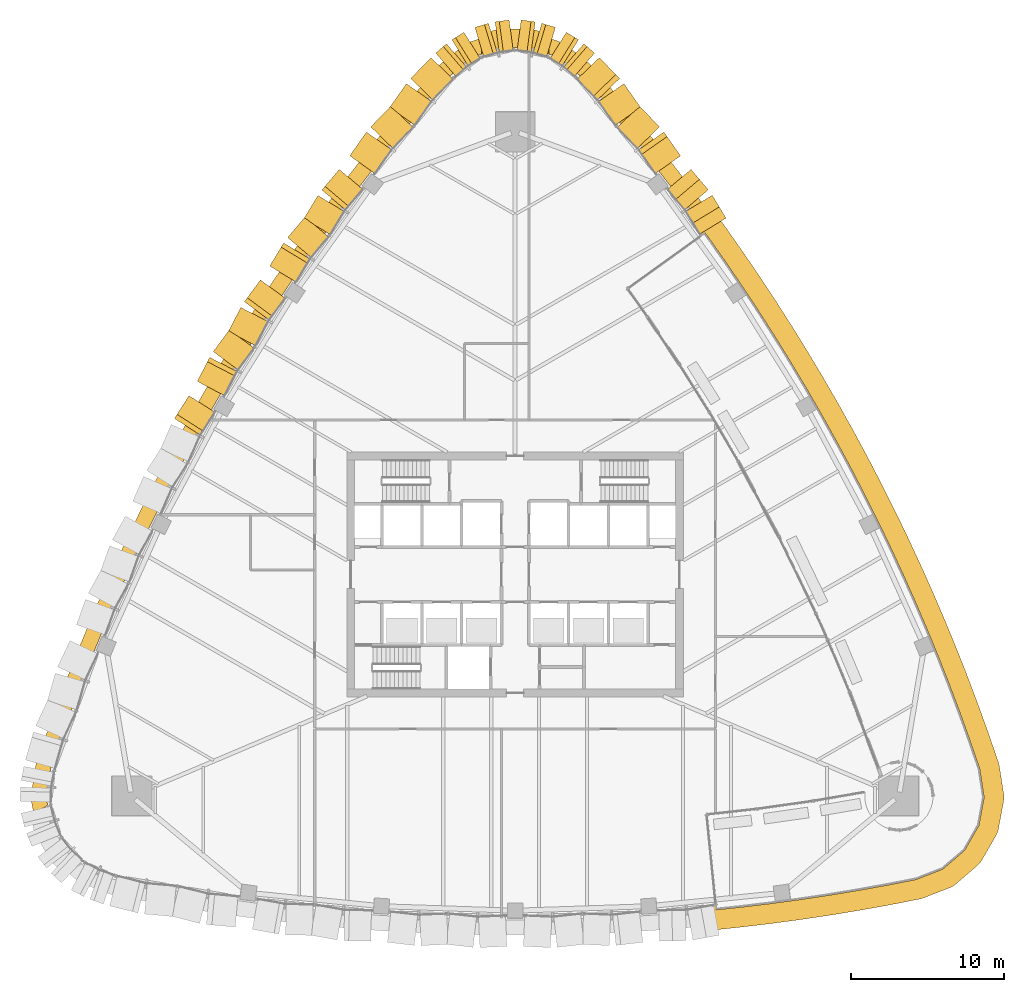
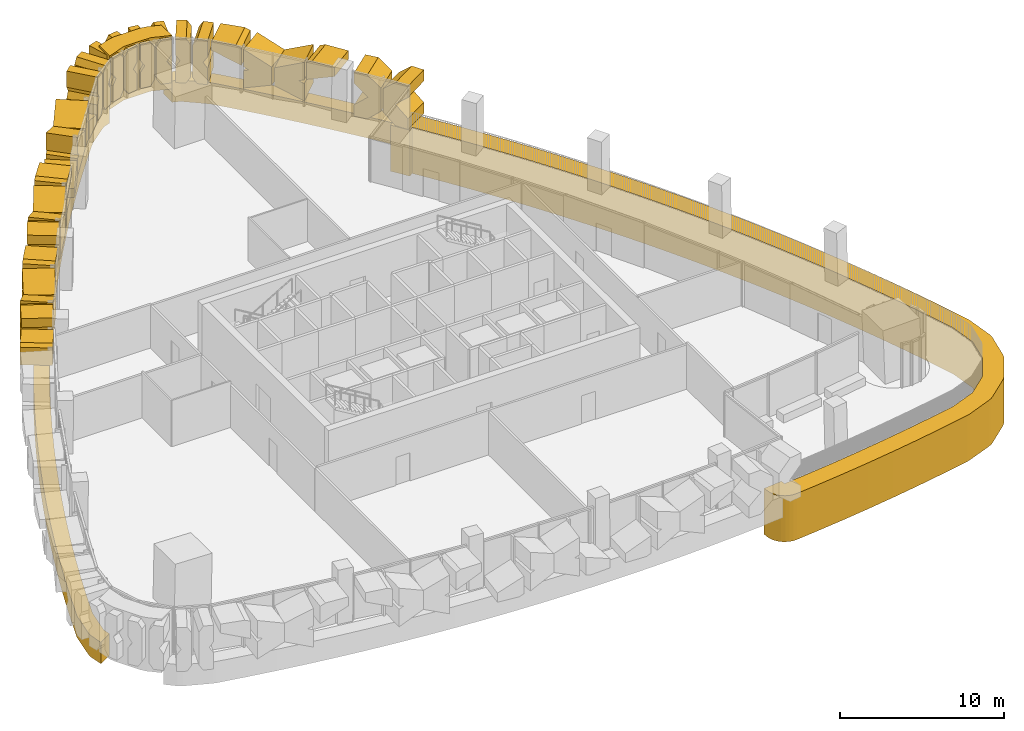
# One storey, part 19 of 20: 31 coverings.
"""IFC4 building model written with IfcOpenShell, lengths in metres."""

from ifc_helpers import new_model, si_unit, direction, frame, origin, place, context, subcontext, project, spatial, polyline, outline, extrude, material, layer, layer_set, type_object, element, save


model = new_model("IFC4")

# Units and contexts
model_context = context("Model", 3, precision=1e-05, world=origin(), true_north=direction((0.0, 1.0)))
body_context = subcontext(model_context, "Body", "Model", "MODEL_VIEW")
ifc_project = project(units=[si_unit("LENGTHUNIT", "METRE"), si_unit("AREAUNIT", "SQUARE_METRE"), si_unit("VOLUMEUNIT", "CUBIC_METRE"), si_unit("PLANEANGLEUNIT", "RADIAN"), si_unit("MASSUNIT", "GRAM", prefix="KILO")], contexts=[model_context])

# Site, building, storey
site_placement = place(None, origin())
site = spatial("IfcSite", under=ifc_project, at=site_placement, CompositionType="ELEMENT")
building_placement = place(site_placement, origin())
building = spatial("IfcBuilding", under=site, at=building_placement, Name="Sierra Prisma Convention Tower", CompositionType="ELEMENT")
storey_placement = place(building_placement, frame((0.0, 0.0, 125.800048828125)))
storey = spatial("IfcBuildingStorey", under=building, at=storey_placement, Name="L26", CompositionType="ELEMENT", Elevation=125.800048828125)

# Coverings
ifc_material_1 = material(Name="Aluminium composite bronze anodised", Category="aluminium")
ifc_layer_1 = layer(ifc_material_1, 1.199951171875)
ifc_layer_set_1 = layer_set([ifc_layer_1], Name="Bronze corner pier")
covering_type_1 = type_object("IfcCoveringType", Name="Bronze corner pier", PredefinedType="CLADDING", material=ifc_layer_set_1)
covering_1_placement = place(storey_placement, frame((0.0, 0.0, -0.60009765625)))
element("IfcCovering", 1, at=covering_1_placement, inside=storey, type_object=covering_type_1, Name="Corner pier N L26.1", PredefinedType="CLADDING", context=body_context, shape_type="SweptSolid", body=[
    extrude(outline(polyline([(-0.93896484375, 35.669921875), (0.93896484375, 35.669921875), (1.33740234375, 35.601806640625), (2.199951171875, 35.2978515625), (2.199951171875, 34.025634765625), (0.93896484375, 34.469970703125), (-0.93896484375, 34.469970703125), (-2.199951171875, 34.025634765625), (-2.199951171875, 35.2978515625), (-1.33740234375, 35.601806640625), (-0.93896484375, 35.669921875)])), origin(), (0.0, 0.0, 1.0), 4.0),
])
ifc_material_2 = material(Name="Aluminium 6063-T6 bronze anodised", Category="aluminium")
ifc_layer_2 = layer(ifc_material_2, 2.0)
ifc_layer_set_2 = layer_set([ifc_layer_2], Name="Bronze crystal chevron frame")
covering_type_2 = type_object("IfcCoveringType", Name="Bronze crystal chevron frame", PredefinedType="CLADDING", material=ifc_layer_set_2)
covering_2_placement = place(storey_placement, frame((13.791015625, 23.30615234375, 0.0), z_axis=(0.854983340434, 0.518655461343, 0.0), x_axis=(-0.518655461343, 0.854983340434, 0.0)))
element("IfcCovering", 2, at=covering_2_placement, inside=storey, type_object=covering_type_2, Name="CW-2 chevron frame NE5b.1.1", PredefinedType="CLADDING", context=body_context, shape_type="SweptSolid", body=[
    extrude(outline(polyline([(0.0, 0.0), (0.8497567209117803, 0.0), (1.7438969102304944, 0.78466796875), (1.7438969102304944, 2.495361328125), (0.8497567209117803, 3.280029296875), (0.0, 3.280029296875), (0.0, 2.428955078125), (0.8992903138798904, 1.639892578125), (0.0, 0.850830078125), (0.0, 0.0)])), origin(), (0.0, 0.0, -1.0), 2.0),
])
covering_3_placement = place(storey_placement, frame((12.62744140625, 25.156982421875, 0.78466796875), z_axis=(0.763318512234, 0.646022328469, 0.0), x_axis=(-0.485619357065, 0.573791692349, -0.659497485844)))
element("IfcCovering", 3, at=covering_3_placement, inside=storey, type_object=covering_type_2, Name="CW-2 chevron frame NE5b.1.2", PredefinedType="CLADDING", context=body_context, shape_type="SweptSolid", body=[
    extrude(outline(polyline([(0.0, 0.0), (1.1897967552452315, 0.0), (1.8285264528168788, 0.5603789232740328), (1.267406155412686, 1.1999536520456002), (0.07104713109822547, 1.2000424250887396), (0.22663668556456518, 2.3862408964586312), (-0.33464462196800726, 3.025999147390535), (-0.9733743195396543, 2.465620224116502), (-1.128197969558444, 1.2859397774755736), (0.0, 0.0)])), origin(), (0.0, 0.0, -1.0), 2.0),
])
covering_4_placement = place(storey_placement, frame((10.816162109375, 27.377197265625, 2.608154296875), z_axis=(0.81847095685, 0.574547902211, -2.9281178e-05), x_axis=(-0.532470680284, 0.758510796267, -0.375681176777)))
element("IfcCovering", 4, at=covering_4_placement, inside=storey, type_object=covering_type_2, Name="CW-2 chevron frame NE6.1.1", PredefinedType="CLADDING", context=body_context, shape_type="SweptSolid", body=[
    extrude(outline(polyline([(0.0, 0.0), (2.0477126787163704, -1.1102230246251565e-16), (1.5612349048824334, 1.2000675133014), (1.1720405237454368, 1.2000968987787637), (-0.2524107906468692, 0.6226594639150552), (0.0, 0.0)])), origin(), (0.0, 0.0, -1.0), 2.0),
])
covering_5_placement = place(storey_placement, frame((9.443115234375, 29.272216796875, 1.49365234375), z_axis=(0.718399276652, 0.695630993635, 0.0), x_axis=(0.0, 0.0, -1.0)))
element("IfcCovering", 5, at=covering_5_placement, inside=storey, type_object=covering_type_2, Name="CW-2 chevron frame NE6.1.2", PredefinedType="CLADDING", context=body_context, shape_type="SweptSolid", body=[
    extrude(outline(polyline([(0.0, 0.0), (1.294677734375, 0.0), (0.525390625, 1.8976607283716422), (-0.818115234375, 1.8976607283716422), (-1.58740234375, 0.0), (-0.29248046875, 0.0), (-0.146240234375, 0.3605065095193148), (0.0, 0.0)])), origin(), (0.0, 0.0, -1.0), 2.0),
])
covering_6_placement = place(storey_placement, frame((8.202392578125, 30.539794921875, 0.96826171875), z_axis=(0.818366602359, 0.574696532218, 0.0), x_axis=(-0.532597061531, 0.758417048367, -0.375691297203)))
element("IfcCovering", 6, at=covering_6_placement, inside=storey, type_object=covering_type_2, Name="CW-2 chevron frame NE6.2.1", PredefinedType="CLADDING", context=body_context, shape_type="SweptSolid", body=[
    extrude(outline(polyline([(0.0, 0.0), (2.0476575185574464, 1.1102230246251565e-16), (1.5612583610698336, 1.199835945236566), (1.1720639753909456, 1.1998610770240354), (1.4513759943585078, 1.4708907184580267), (0.9648851153627886, 2.670952919765729), (-0.5047434591088693, 1.2450871594638548), (0.0, 0.0)])), origin(), (0.0, 0.0, -1.0), 2.0),
])
covering_7_placement = place(storey_placement, frame((6.829345703125, 32.4345703125, 1.8388671875), z_axis=(0.718403784782, 0.695626335896, 5.3096288e-05), x_axis=(-0.644682690087, 0.665763374492, 0.375690508647)))
element("IfcCovering", 7, at=covering_7_placement, inside=storey, type_object=covering_type_2, Name="CW-2 chevron frame NE6.2.2", PredefinedType="CLADDING", context=body_context, shape_type="SweptSolid", body=[
    extrude(outline(polyline([(0.0, 0.0), (2.047661811818721, 0.0), (2.300078872315689, 0.622656921524551), (0.8756859907926398, 1.2000873739026618), (0.48648985787642396, 1.2000626132871433), (0.0, 0.0)])), origin(), (0.0, 0.0, -1.0), 2.0),
])
covering_8_placement = place(storey_placement, frame((5.193359375, 34.0966796875, 0.0), z_axis=(0.654265309432, 0.756265102245, 0.0), x_axis=(-0.756265102245, 0.654265309432, 0.0)))
element("IfcCovering", 8, at=covering_8_placement, inside=storey, type_object=covering_type_2, Name="CW-2 chevron frame N1.1.1", PredefinedType="CLADDING", context=body_context, shape_type="SweptSolid", body=[
    extrude(outline(polyline([(0.0, 0.0), (0.6527046052090422, 0.0), (0.9261745791873841, 0.4267578125), (0.9261745791873841, 2.853271484375), (0.6527046052090422, 3.280029296875), (0.0, 3.280029296875), (0.0, 2.074462890625), (0.2785006601742739, 1.639892578125), (0.0, 1.20556640625), (0.0, 0.0)])), origin(), (0.0, 0.0, -1.0), 2.0),
])
covering_9_placement = place(storey_placement, frame((4.135986328125, 34.9658203125, 0.4267578125), z_axis=(0.528087197207, 0.849190150759, 0.0), x_axis=(-0.45803747233, 0.284840473906, -0.842061505097)))
element("IfcCovering", 9, at=covering_9_placement, inside=storey, type_object=covering_type_2, Name="CW-2 chevron frame N1.1.2", PredefinedType="CLADDING", context=body_context, shape_type="SweptSolid", body=[
    extrude(outline(polyline([(0.0, 0.0), (0.5068012371030686, 2.7755575615628914e-17), (0.8588373238573257, 0.5495850846466388), (-0.15632373868385574, 1.199845322535132), (-0.6721639867489821, 1.1997655203934459), (-0.8879880200901061, 1.6685120269995197), (-1.9031490826312876, 2.318772264888013), (-2.2551851693855447, 1.7691871802413743), (-2.0432737546773594, 1.3088166270501689), (0.0, 0.0)])), origin(), (0.0, 0.0, -1.0), 2.0),
])
covering_10_placement = place(storey_placement, frame((2.63232421875, 35.778076171875, 0.0), z_axis=(0.286229095221, 0.958161210365, 0.0), x_axis=(-0.958161210365, 0.286229095221, 0.0)))
element("IfcCovering", 10, at=covering_10_placement, inside=storey, type_object=covering_type_2, Name="CW-2 chevron frame N2.1.1", PredefinedType="CLADDING", context=body_context, shape_type="SweptSolid", body=[
    extrude(outline(polyline([(0.0, 0.0), (0.6527769235352358, 0.0), (0.9262111321016565, 0.4267578124999999), (0.9262111321016565, 2.8532714843749996), (0.6527769235352358, 3.280029296874999), (0.0, 3.280029296874999), (0.0, 2.0744628906249996), (0.278532011002611, 1.6398925781249996), (0.0, 1.2055664062499998), (0.0, 0.0)])), origin(), (0.0, 0.0, -1.0), 2.0),
])
covering_11_placement = place(storey_placement, frame((1.311279296875, 36.13623046875, 0.4267578125), z_axis=(0.132831760959, 0.99113859943, 0.0), x_axis=(-0.534695411156, 0.071659536902, -0.842001026163)))
element("IfcCovering", 11, at=covering_11_placement, inside=storey, type_object=covering_type_2, Name="CW-2 chevron frame N2.1.2", PredefinedType="CLADDING", context=body_context, shape_type="SweptSolid", body=[
    extrude(outline(polyline([(0.0, 0.0), (0.5068376394322877, 0.0), (0.8589816763376017, 0.5496179302247808), (-0.15610647483249396, 1.1999919804701895), (-0.6721105239464316, 1.1997143647756237), (-0.8877182063056349, 1.6687407137272592), (-1.9028063574757303, 2.3191147639726677), (-2.2549503943810443, 1.769496833747887), (-2.043127001717209, 1.3090457038050056), (0.0, 0.0)])), origin(), (0.0, 0.0, -1.0), 2.0),
])
covering_12_placement = place(storey_placement, frame((-0.393310546875, 36.25927734375, 0.0), z_axis=(-0.132831760959, 0.99113859943, 0.0), x_axis=(-0.99113859943, -0.132831760959, 0.0)))
element("IfcCovering", 12, at=covering_12_placement, inside=storey, type_object=covering_type_2, Name="CW-2 chevron frame N3.1.1", PredefinedType="CLADDING", context=body_context, shape_type="SweptSolid", body=[
    extrude(outline(polyline([(0.0, 0.0), (0.6527520907301202, 0.0), (0.9261787942824772, 0.4267578125000001), (0.9261787942824772, 2.8532714843750004), (0.6527520907301202, 3.280029296875001), (0.0, 3.280029296875001), (0.0, 2.0744628906250004), (0.278605513579435, 1.6398925781250004), (0.0, 1.2055664062500002), (0.0, 0.0)])), origin(), (0.0, 0.0, -1.0), 2.0),
])
covering_13_placement = place(storey_placement, frame((-1.744873046875, 36.043212890625, 0.4267578125), z_axis=(-0.286229095221, 0.958161210365, 0.0), x_axis=(-0.516914962425, -0.154416710258, -0.841994299989)))
element("IfcCovering", 13, at=covering_13_placement, inside=storey, type_object=covering_type_2, Name="CW-2 chevron frame N3.1.2", PredefinedType="CLADDING", context=body_context, shape_type="SweptSolid", body=[
    extrude(outline(polyline([(0.0, 0.0), (0.5068416882460737, 0.0), (0.8590059746427796, 0.5496344487810292), (-0.15607406767795373, 1.2000211549495043), (-0.6720384665709299, 1.1998118614702262), (-0.8876799548021922, 1.6687790098003756), (-1.9027599971229257, 2.319165715968851), (-2.2549242835196317, 1.7695312671878214), (-2.043110680564149, 1.3090711771179575), (0.0, 0.0)])), origin(), (0.0, 0.0, -1.0), 2.0),
])
covering_14_placement = place(storey_placement, frame((-3.349609375, 35.454833984375, 0.0), z_axis=(-0.528087197207, 0.849190150759, 0.0), x_axis=(-0.849190150759, -0.528087197207, 0.0)))
element("IfcCovering", 14, at=covering_14_placement, inside=storey, type_object=covering_type_2, Name="CW-2 chevron frame N4.1.1", PredefinedType="CLADDING", context=body_context, shape_type="SweptSolid", body=[
    extrude(outline(polyline([(0.0, 0.0), (0.6526662023142488, 0.0), (0.9260254227539765, 0.42675781249999994), (0.9260254227539765, 2.8532714843749996), (0.6526662023142488, 3.2800292968749996), (0.0, 3.2800292968749996), (0.0, 2.0744628906249996), (0.27830189420246687, 1.6398925781249998), (0.0, 1.2055664062499998), (0.0, 0.0)])), origin(), (0.0, 0.0, -1.0), 2.0),
])
covering_15_placement = place(storey_placement, frame((-4.492919921875, 34.70263671875, 0.4267578125), z_axis=(-0.654265309432, 0.756265102245, 0.0), x_axis=(-0.408032585505, -0.352999979797, -0.841962245846)))
element("IfcCovering", 15, at=covering_15_placement, inside=storey, type_object=covering_type_2, Name="CW-2 chevron frame N4.1.2", PredefinedType="CLADDING", context=body_context, shape_type="SweptSolid", body=[
    extrude(outline(polyline([(0.0, 0.0), (0.5068609840947518, -5.551115123125783e-17), (0.8590189070819609, 0.5495526352756636), (-0.15602249184046912, 1.199999649529812), (-0.6719699873430957, 1.199847407401435), (-0.8876005272323138, 1.6688009706579032), (-1.902641926154744, 2.3192479849120518), (-2.2547998491419534, 1.769695349636388), (-2.043032900747273, 1.3091925627120253), (0.0, 0.0)])), origin(), (0.0, 0.0, -1.0), 2.0),
])
covering_16_placement = place(storey_placement, frame((-6.578369140625, 32.693603515625, 0.0), z_axis=(-0.718403785448, 0.695626335207, -5.3108724e-05), x_axis=(-0.644666067314, -0.665746197485, 0.375749467317)))
element("IfcCovering", 16, at=covering_16_placement, inside=storey, type_object=covering_type_2, Name="CW-2 chevron frame NW1.1.1", PredefinedType="CLADDING", context=body_context, shape_type="SweptSolid", body=[
    extrude(outline(polyline([(0.0, 0.0), (0.38919613370424483, -2.7755575615628914e-17), (0.875670602742297, 1.199805410111478), (-1.171991204932352, 1.1999356821392246), (-1.42435614257589, 0.5775210709348733), (0.0, 0.0)])), origin(), (0.0, 0.0, -1.0), 2.0),
])
covering_17_placement = place(storey_placement, frame((-7.11181640625, 32.0927734375, 1.49365234375), z_axis=(-0.818366602359, 0.574696532218, 0.0), x_axis=(0.0, 0.0, -1.0)))
element("IfcCovering", 17, at=covering_17_placement, inside=storey, type_object=covering_type_2, Name="CW-2 chevron frame NW1.1.2", PredefinedType="CLADDING", context=body_context, shape_type="SweptSolid", body=[
    extrude(outline(polyline([(0.0, 0.0), (1.294677734375, 0.0), (0.525390625, 1.8976560954646904), (-0.818115234375, 1.8976560954646904), (-1.58740234375, 0.0), (-0.29248046875, 0.0), (-0.146240234375, 0.36067445754519206), (0.0, 0.0)])), origin(), (0.0, 0.0, -1.0), 2.0),
])
covering_18_placement = place(storey_placement, frame((-8.123046875, 30.635498046875, 0.96826171875), z_axis=(-0.718399276652, 0.695630993635, 0.0), x_axis=(-0.644672675083, -0.665773071779, -0.375690509456)))
element("IfcCovering", 18, at=covering_18_placement, inside=storey, type_object=covering_type_2, Name="CW-2 chevron frame NW1.2.1", PredefinedType="CLADDING", context=body_context, shape_type="SweptSolid", body=[
    extrude(outline(polyline([(0.0, 0.0), (2.047661812080924, 0.0), (1.5612636744717845, 1.1998363586826095), (1.1722249338390005, 1.1999249177704665), (1.4513815381610642, 1.470891225305609), (0.9648916792361392, 2.6709538401373196), (-0.5047424007661883, 1.2450875885028097), (0.0, 0.0)])), origin(), (0.0, 0.0, -1.0), 2.0),
])
covering_19_placement = place(storey_placement, frame((-9.725830078125, 28.930419921875, 0.146240234375), z_axis=(-0.818470957154, 0.574547901779, 2.9288036e-05), x_axis=(-0.532454384994, -0.758487575648, -0.375751148353)))
element("IfcCovering", 19, at=covering_19_placement, inside=storey, type_object=covering_type_2, Name="CW-2 chevron frame NW1.2.2", PredefinedType="CLADDING", context=body_context, shape_type="SweptSolid", body=[
    extrude(outline(polyline([(0.0, 0.0), (0.38919438224646774, 2.7755575615628914e-17), (1.8136020941205302, 0.5775449840572944), (1.5612360274410075, 1.1999591381914767), (-0.4864766454385706, 1.1998045290343762), (0.0, 0.0)])), origin(), (0.0, 0.0, -1.0), 2.0),
])
covering_20_placement = place(storey_placement, frame((-11.501708984375, 26.48681640625, 2.599609375), z_axis=(-0.763312484552, 0.646029450501, -3.51056e-06), x_axis=(-0.592459669807, -0.700019576318, -0.398703062973)))
element("IfcCovering", 20, at=covering_20_placement, inside=storey, type_object=covering_type_2, Name="CW-2 chevron frame NW2.1.1", PredefinedType="CLADDING", context=body_context, shape_type="SweptSolid", body=[
    extrude(outline(polyline([(0.0, 0.0), (1.9202887338841947, -1.1102230246251565e-16), (1.398548397571812, 1.2000852569641043), (1.0536563250472648, 1.2000216269577269), (-0.27128550695944226, 0.6239995543207012), (0.0, 0.0)])), origin(), (0.0, 0.0, -1.0), 2.0),
])
covering_21_placement = place(storey_placement, frame((-12.8984375, 24.78271484375, 1.50244140625), z_axis=(-0.854927048745, 0.518748244646, 0.0), x_axis=(0.0, 0.0, -1.0)))
element("IfcCovering", 21, at=covering_21_placement, inside=storey, type_object=covering_type_2, Name="CW-2 chevron frame NW2.1.2", PredefinedType="CLADDING", context=body_context, shape_type="SweptSolid", body=[
    extrude(outline(polyline([(0.0, 0.0), (1.30859375, 0.0), (0.542724609375, 1.7611062112008893), (-0.81787109375, 1.7611062112008893), (-1.58349609375, 0.0), (-0.27490234375, 0.0), (-0.137451171875, 0.3161628572664508), (0.0, 0.0)])), origin(), (0.0, 0.0, -1.0), 2.0),
])
covering_22_placement = place(storey_placement, frame((-13.739501953125, 23.3779296875, 0.959716796875), z_axis=(-0.763312484547, 0.646029450517, 0.0), x_axis=(-0.59243070381, -0.699983185108, -0.398809982007)))
element("IfcCovering", 22, at=covering_22_placement, inside=storey, type_object=covering_type_2, Name="CW-2 chevron frame NW2.2.1", PredefinedType="CLADDING", context=body_context, shape_type="SweptSolid", body=[
    extrude(outline(polyline([(0.0, 0.0), (1.9203860865523552, 0.0), (1.3985058366599996, 1.200024419464602), (1.053613773908216, 1.1999205787035567), (1.2888720378952996, 1.4521191016133224), (0.7669917880029439, 2.652143521077924), (-0.542619147882481, 1.2477119570291466), (0.0, 0.0)])), origin(), (0.0, 0.0, -1.0), 2.0),
])
covering_23_placement = place(storey_placement, frame((-15.13623046875, 21.673828125, 1.833984375), z_axis=(-0.854989248809, 0.518645719334, -4.7297807e-05), x_axis=(-0.475652390138, -0.784078237008, 0.398718098417)))
element("IfcCovering", 23, at=covering_23_placement, inside=storey, type_object=covering_type_2, Name="CW-2 chevron frame NW2.2.2", PredefinedType="CLADDING", context=body_context, shape_type="SweptSolid", body=[
    extrude(outline(polyline([(0.0, 0.0), (1.9202163173278544, -1.1102230246251565e-16), (2.1915120547030633, 0.623995105694522), (0.8665088651041526, 1.200069688802401), (0.5217600116006891, 1.2000767012998343), (0.0, 0.0)])), origin(), (0.0, 0.0, -1.0), 2.0),
])
covering_24_placement = place(storey_placement, frame((-16.656982421875, 19.26123046875, 2.60009765625), z_axis=(-0.804697515926, 0.593685021534, 5.5393905e-05), x_axis=(-0.544839834293, -0.738454295128, -0.397284292383)))
element("IfcCovering", 24, at=covering_24_placement, inside=storey, type_object=covering_type_2, Name="CW-2 chevron frame NW3.1.1", PredefinedType="CLADDING", context=body_context, shape_type="SweptSolid", body=[
    extrude(outline(polyline([(0.0, 0.0), (1.927760934381495, -1.1102230246251565e-16), (1.4082651653379712, 1.1999945207144074), (1.0606640703477601, 1.2000894811734657), (-0.270126160714379, 0.6239702651586305), (0.0, 0.0)])), origin(), (0.0, 0.0, -1.0), 2.0),
])
covering_25_placement = place(storey_placement, frame((-17.941650390625, 17.461181640625, 1.501953125), z_axis=(-0.88770393712, 0.460414726114, 0.0), x_axis=(0.0, 0.0, -1.0)))
element("IfcCovering", 25, at=covering_25_placement, inside=storey, type_object=covering_type_2, Name="CW-2 chevron frame NW3.1.2", PredefinedType="CLADDING", context=body_context, shape_type="SweptSolid", body=[
    extrude(outline(polyline([(0.0, 0.0), (1.3076171875, 0.0), (0.541748046875, 1.768958801237451), (-0.81787109375, 1.768958801237451), (-1.583740234375, 0.0), (-0.276123046875, 0.0), (-0.137939453125, 0.31873977380760626), (0.0, 0.0)])), origin(), (0.0, 0.0, -1.0), 2.0),
])
covering_26_placement = place(storey_placement, frame((-18.6904296875, 15.996337890625, 0.960205078125), z_axis=(-0.804693181983, 0.593690898423, 0.0), x_axis=(-0.544827517487, -0.738463381943, -0.397284293319)))
element("IfcCovering", 26, at=covering_26_placement, inside=storey, type_object=covering_type_2, Name="CW-2 chevron frame NW3.2.1", PredefinedType="CLADDING", context=body_context, shape_type="SweptSolid", body=[
    extrude(outline(polyline([(0.0, 0.0), (1.9277609346878721, -1.1102230246251565e-16), (1.4082651644204591, 1.199994522370697), (1.0608940789224237, 1.1999230138035917), (1.2985658148736996, 1.4533914239392665), (0.7790700446062866, 2.653385946309964), (-0.5401553294658744, 1.2477164852655735), (0.0, 0.0)])), origin(), (0.0, 0.0, -1.0), 2.0),
])
covering_27_placement = place(storey_placement, frame((-19.97509765625, 14.1962890625, 1.834228515625), z_axis=(-0.88767825219, 0.460464243785, -2.799874e-05), x_axis=(-0.422583048658, -0.814627117411, 0.397248318519)))
element("IfcCovering", 27, at=covering_27_placement, inside=storey, type_object=covering_type_2, Name="CW-2 chevron frame NW3.2.2", PredefinedType="CLADDING", context=body_context, shape_type="SweptSolid", body=[
    extrude(outline(polyline([(0.0, 0.0), (1.9279355114424739, 2.220446049250313e-16), (2.1980372123883902, 0.6239808544392298), (0.8671550277724955, 1.2000779258883663), (0.5194487290004766, 1.200014885593003), (0.0, 0.0)])), origin(), (0.0, 0.0, -1.0), 2.0),
])
covering_28_placement = place(storey_placement, frame((-21.3291015625, 11.69140625, 2.60009765625), z_axis=(-0.8425375849, 0.538637552108, 7.4095837e-05), x_axis=(-0.494327633737, -0.773173298353, -0.397294904621)))
element("IfcCovering", 28, at=covering_28_placement, inside=storey, type_object=covering_type_2, Name="CW-2 chevron frame NW4.1.1", PredefinedType="CLADDING", context=body_context, shape_type="SweptSolid", body=[
    extrude(outline(polyline([(0.0, 0.0), (1.9277094376750719, 0.0), (1.4081997918859592, 1.1999885114408408), (1.060698278615766, 1.2001225697381148), (-0.2701333763111796, 0.6239671404710122), (0.0, 0.0)])), origin(), (0.0, 0.0, -1.0), 2.0),
])
ifc_material_3 = material(Name="Aluminium composite bronze anodised", Category="aluminium")
ifc_layer_3 = layer(ifc_material_3, 1.0)
ifc_layer_set_3 = layer_set([ifc_layer_3], Name="Bronze spandrel band")
covering_type_3 = type_object("IfcCoveringType", Name="Bronze spandrel band", PredefinedType="CLADDING", material=ifc_layer_set_3)
covering_29_placement = place(storey_placement, frame((0.0, 0.0, -1.60009765625)))
element("IfcCovering", 29, at=covering_29_placement, inside=storey, type_object=covering_type_3, Name="Spandrel band L26.1", PredefinedType="CLADDING", context=body_context, shape_type="SweptSolid", body=[
    extrude(outline(polyline([(-31.65478515625, -14.423095703125), (-31.3671875, -12.5673828125), (-31.324951171875, -12.39599609375), (-30.69091796875, -10.547607421875), (-30.685791015625, -10.533447265625), (-30.0244140625, -8.694580078125), (-30.019287109375, -8.6806640625), (-29.33056640625, -6.851806640625), (-29.3251953125, -6.837890625), (-28.609375, -5.01953125), (-28.60400390625, -5.005859375), (-27.861083984375, -3.1982421875), (-27.85546875, -3.1845703125), (-27.085693359375, -1.38818359375), (-27.079833984375, -1.37451171875), (-26.28369140625, 0.41015625), (-26.277587890625, 0.423583984375), (-25.455078125, 2.1962890625), (-25.448486328125, 2.209716796875), (-24.599853515625, 3.969970703125), (-24.59326171875, 3.9833984375), (-23.718505859375, 5.730712890625), (-23.711669921875, 5.744140625), (-22.810791015625, 7.478271484375), (-22.803955078125, 7.491455078125), (-21.877685546875, 9.212158203125), (-21.870361328125, 9.22509765625), (-20.918701171875, 10.931884765625), (-20.9111328125, 10.94482421875), (-19.93408203125, 12.63720703125), (-19.926513671875, 12.650146484375), (-18.924560546875, 14.327880859375), (-18.916748046875, 14.340576171875), (-17.889892578125, 16.003173828125), (-17.8818359375, 16.015625), (-16.830322265625, 17.662841796875), (-16.822265625, 17.67529296875), (-15.746337890625, 19.306640625), (-15.738037109375, 19.319091796875), (-14.637939453125, 20.934326171875), (-14.629638671875, 20.946533203125), (-13.505615234375, 22.545166015625), (-13.4970703125, 22.557373046875), (-12.349609375, 24.13916015625), (-12.3408203125, 24.151123046875), (-11.169921875, 25.7158203125), (-11.160888671875, 25.7275390625), (-9.966796875, 27.274658203125), (-9.95751953125, 27.286376953125), (-8.74072265625, 28.8154296875), (-8.7314453125, 28.826904296875), (-7.491943359375, 30.337890625), (-7.482421875, 30.34912109375), (-6.220703125, 31.841552734375), (-6.2109375, 31.852783203125), (-4.92724609375, 33.326171875), (-4.800048828125, 33.448486328125), (-3.336669921875, 34.625244140625), (-3.042236328125, 34.789306640625), (-2.2099609375, 35.08251953125), (-2.2099609375, 34.022216796875), (-2.7099609375, 33.84619140625), (-4.17333984375, 32.669189453125), (-5.45703125, 31.19580078125), (-6.71875, 29.70361328125), (-7.958251953125, 28.192626953125), (-9.17529296875, 26.66357421875), (-10.369140625, 25.116455078125), (-11.5400390625, 23.552001953125), (-12.6875, 21.97021484375), (-13.8115234375, 20.371337890625), (-14.91162109375, 18.756103515625), (-15.9873046875, 17.124755859375), (-17.0390625, 15.4775390625), (-18.06591796875, 13.81494140625), (-19.068115234375, 12.13720703125), (-20.045166015625, 10.44482421875), (-20.9970703125, 8.738037109375), (-21.923583984375, 7.017333984375), (-22.82421875, 5.283203125), (-23.69921875, 3.53564453125), (-24.5478515625, 1.775390625), (-25.37060546875, 0.002685546875), (-26.16650390625, -1.781982421875), (-26.93603515625, -3.578369140625), (-27.678955078125, -5.385986328125), (-28.394775390625, -7.204345703125), (-29.08349609375, -9.033203125), (-29.7451171875, -10.8720703125), (-30.379150390625, -12.720458984375), (-30.66650390625, -14.576171875), (-30.569091796875, -15.09716796875), (-31.4873046875, -15.627197265625), (-31.6494140625, -14.760009765625), (-31.65478515625, -14.423095703125)])), origin(), (0.0, 0.0, 1.0), 1.60009765625),
])
covering_30_placement = place(storey_placement, frame((0.0, 0.0, -1.60009765625)))
element("IfcCovering", 30, at=covering_30_placement, inside=storey, type_object=covering_type_3, Name="Spandrel band L26.3", PredefinedType="CLADDING", context=body_context, shape_type="SweptSolid", body=[
    extrude(outline(polyline([(4.800048828125, 33.448486328125), (4.92724609375, 33.326171875), (6.2109375, 31.852783203125), (6.220703125, 31.841552734375), (7.482421875, 30.34912109375), (7.491943359375, 30.337890625), (8.7314453125, 28.826904296875), (8.74072265625, 28.8154296875), (9.95751953125, 27.286376953125), (9.966796875, 27.274658203125), (11.160888671875, 25.7275390625), (11.169921875, 25.7158203125), (12.3408203125, 24.151123046875), (12.349609375, 24.13916015625), (13.1044921875, 23.098388671875), (13.029541015625, 23.16162109375), (12.947021484375, 23.218017578125), (12.859619140625, 23.26611328125), (12.767578125, 23.305419921875), (12.672607421875, 23.33544921875), (12.57470703125, 23.356201171875), (12.4755859375, 23.3671875), (12.37548828125, 23.368408203125), (12.276123046875, 23.35986328125), (12.177978515625, 23.341796875), (12.08203125, 23.31396484375), (11.9892578125, 23.277099609375), (11.900390625, 23.231201171875), (11.816650390625, 23.1767578125), (11.813720703125, 23.1748046875), (11.5400390625, 23.552001953125), (10.369140625, 25.116455078125), (9.17529296875, 26.66357421875), (7.958251953125, 28.192626953125), (6.71875, 29.70361328125), (5.45703125, 31.19580078125), (4.17333984375, 32.669189453125), (2.7099609375, 33.84619140625), (2.2099609375, 34.022216796875), (2.2099609375, 35.08251953125), (3.042236328125, 34.789306640625), (3.336669921875, 34.625244140625), (4.800048828125, 33.448486328125)])), origin(), (0.0, 0.0, 1.0), 1.60009765625),
])
ifc_material_4 = material(Name="Aluminium composite bronze anodised", Category="aluminium")
ifc_layer_4 = layer(ifc_material_4, 1.300048828125)
ifc_layer_set_4 = layer_set([ifc_layer_4], Name="Terrace fascia")
covering_type_4 = type_object("IfcCoveringType", Name="Terrace fascia", PredefinedType="CLADDING", material=ifc_layer_set_4)
covering_31_placement = place(storey_placement, frame((0.0, 0.0, -3.400146484375)))
element("IfcCovering", 31, at=covering_31_placement, inside=storey, type_object=covering_type_4, Name="Terrace fascia L26.1", PredefinedType="CLADDING", context=body_context, shape_type="SweptSolid", body=[
    extrude(outline(polyline([(11.653076171875, 23.404052734375), (11.872802734375, 23.53173828125), (12.113525390625, 23.614013671875), (12.365478515625, 23.648193359375), (12.619384765625, 23.632568359375), (12.864990234375, 23.56787109375), (13.09375, 23.456298828125), (13.29638671875, 23.302490234375), (13.465087890625, 23.1123046875), (13.739990234375, 22.7333984375), (13.751220703125, 22.7177734375), (14.875, 21.118896484375), (14.885986328125, 21.103271484375), (15.986083984375, 19.48779296875), (15.996826171875, 19.471923828125), (17.07275390625, 17.840576171875), (17.083251953125, 17.82421875), (18.134765625, 16.177001953125), (18.14501953125, 16.160888671875), (19.172119140625, 14.498046875), (19.181884765625, 14.481689453125), (20.18408203125, 12.803955078125), (20.19384765625, 12.787109375), (21.1708984375, 11.0947265625), (21.1806640625, 11.077880859375), (22.13232421875, 9.371337890625), (22.1416015625, 9.3544921875), (23.068115234375, 7.6337890625), (23.0771484375, 7.61669921875), (23.977783203125, 5.88232421875), (23.98681640625, 5.864990234375), (24.861572265625, 4.11767578125), (24.8701171875, 4.100341796875), (25.718994140625, 2.340087890625), (25.72705078125, 2.322509765625), (26.5498046875, 0.5498046875), (26.5576171875, 0.5322265625), (27.353759765625, -1.25244140625), (27.361572265625, -1.27001953125), (28.131103515625, -3.06640625), (28.138671875, -3.084228515625), (28.88134765625, -4.891845703125), (28.888671875, -4.90966796875), (29.6044921875, -6.72802734375), (29.611328125, -6.74609375), (30.300048828125, -8.574951171875), (30.306640625, -8.593017578125), (30.96826171875, -10.431884765625), (30.974609375, -10.4501953125), (31.608642578125, -12.298583984375), (31.663818359375, -12.521484375), (31.951171875, -14.377197265625), (31.96630859375, -14.596435546875), (31.9443359375, -14.815185546875), (31.59912109375, -16.660888671875), (31.54052734375, -16.872802734375), (31.447021484375, -17.07177734375), (30.50830078125, -18.697998046875), (30.382568359375, -18.87841796875), (30.228271484375, -19.03515625), (28.802490234375, -20.257080078125), (28.6240234375, -20.385498046875), (28.426513671875, -20.48193359375), (26.67578125, -21.160888671875), (26.455322265625, -21.224609375), (24.537353515625, -21.599609375), (24.518310546875, -21.603271484375), (22.59521484375, -21.949951171875), (22.576171875, -21.953125), (20.64794921875, -22.27099609375), (20.62890625, -22.274169921875), (18.6962890625, -22.5634765625), (18.677001953125, -22.566162109375), (16.740234375, -22.82666015625), (16.72119140625, -22.8291015625), (14.78076171875, -23.060791015625), (14.761474609375, -23.06298828125), (13.28271484375, -23.21728515625), (13.027099609375, -23.21875), (12.7763671875, -23.170166015625), (12.5400390625, -23.073486328125), (12.326904296875, -22.9326171875), (12.145751953125, -22.752685546875), (12.003173828125, -22.540771484375), (11.904541015625, -22.30517578125), (11.854248046875, -22.0546875), (11.822509765625, -21.740234375), (13.115478515625, -21.605224609375), (13.147705078125, -21.92431640625), (14.62646484375, -21.77001953125), (16.56689453125, -21.5380859375), (18.50390625, -21.277587890625), (20.4365234375, -20.98828125), (22.364501953125, -20.67041015625), (24.287841796875, -20.323974609375), (26.205810546875, -19.94873046875), (27.95654296875, -19.27001953125), (29.38232421875, -18.048095703125), (30.3212890625, -16.421875), (30.66650390625, -14.576171875), (30.379150390625, -12.720458984375), (29.7451171875, -10.8720703125), (29.08349609375, -9.033203125), (28.394775390625, -7.204345703125), (27.678955078125, -5.385986328125), (26.93603515625, -3.578369140625), (26.16650390625, -1.781982421875), (25.37060546875, 0.002685546875), (24.5478515625, 1.775390625), (23.69921875, 3.53564453125), (22.82421875, 5.283203125), (21.923583984375, 7.017333984375), (20.9970703125, 8.738037109375), (20.045166015625, 10.44482421875), (19.068115234375, 12.13720703125), (18.06591796875, 13.81494140625), (17.0390625, 15.4775390625), (15.9873046875, 17.124755859375), (14.91162109375, 18.756103515625), (13.8115234375, 20.371337890625), (12.6875, 21.97021484375), (12.41259765625, 22.34912109375), (12.15234375, 22.16162109375), (11.38916015625, 23.2138671875), (11.653076171875, 23.404052734375)])), origin(), (0.0, 0.0, 1.0), 3.440185546875),
])

save(model, "model.ifc")
